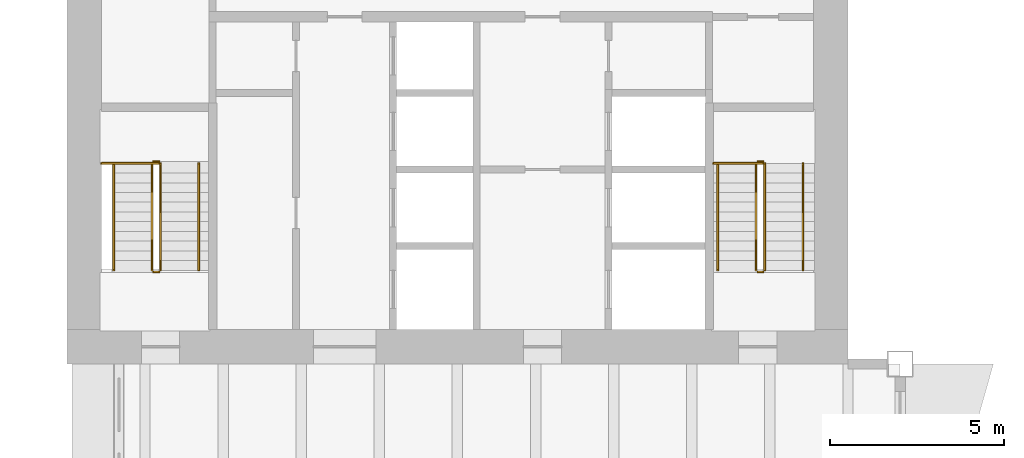
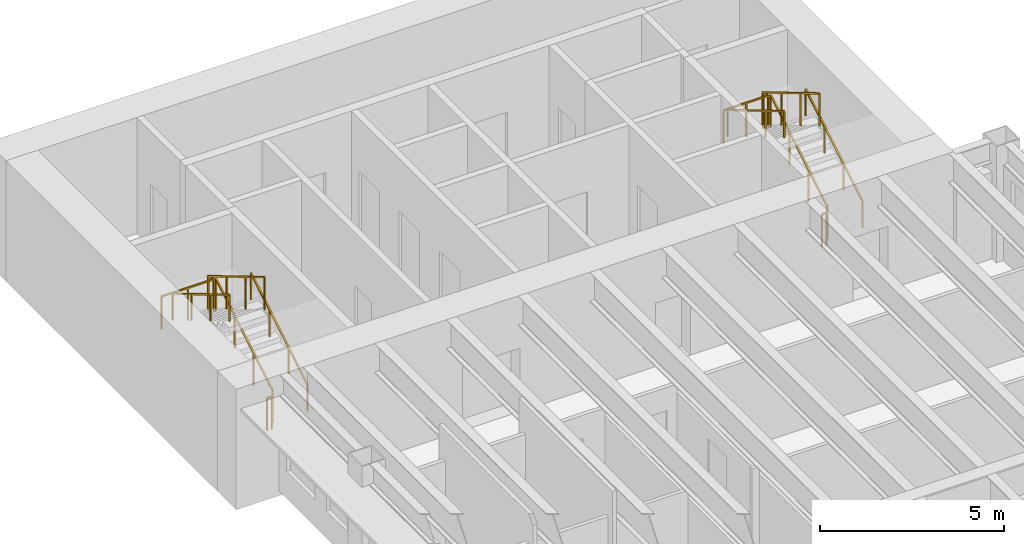
# One storey, part 17 of 17: 14 railings.
"""IFC4 building model written with IfcOpenShell, lengths in metres."""

from ifc_helpers import new_model, si_unit, direction, frame, origin, origin_2d, place, context, subcontext, project, spatial, rectangle, extrude, material, type_object, element, save


model = new_model("IFC4")

# Units and contexts
model_context = context("Model", 3, precision=1e-05, world=origin(), true_north=direction((0.0, 1.0)))
body_context = subcontext(model_context, "Body", "Model", "MODEL_VIEW")
ifc_project = project(units=[si_unit("LENGTHUNIT", "METRE"), si_unit("AREAUNIT", "SQUARE_METRE"), si_unit("VOLUMEUNIT", "CUBIC_METRE"), si_unit("PLANEANGLEUNIT", "RADIAN"), si_unit("MASSUNIT", "GRAM", prefix="KILO")], contexts=[model_context])

# Site, building, storey
site_placement = place(None, origin())
site = spatial("IfcSite", under=ifc_project, at=site_placement, CompositionType="ELEMENT")
building_placement = place(site_placement, origin())
building = spatial("IfcBuilding", under=site, at=building_placement, Name="Sennacour Bend Tower", CompositionType="ELEMENT")
storey_placement = place(building_placement, frame((0.0, 0.0, 195.0)))
storey = spatial("IfcBuildingStorey", under=building, at=storey_placement, Name="L44", CompositionType="ELEMENT", Elevation=195.0)

# Railings
ifc_material = material(Name="Stainless steel", Category="steel")
railing_type_1 = type_object("IfcRailingType", Name="RL-GUARD-1100", PredefinedType="GUARDRAIL", material=ifc_material)
railing_1_placement = place(storey_placement, frame((2.699951171875, 38.699951171875, 0.166748046875)))
element("IfcRailing", 1, at=railing_1_placement, inside=storey, type_object=railing_type_1, Name="L44 SB1 stair guard 1", PredefinedType="GUARDRAIL", context=body_context, shape_type="SweptSolid", body=[
    extrude(rectangle(XDim=0.048095703125, YDim=0.048095703125, at=origin_2d()), frame((0.0, 0.0, 1.076171875), z_axis=(0.0, 0.859308565015, 0.511457515432), x_axis=(-1.0, 0.0, 0.0)), (0.0, 0.0, 1.0), 3.58447265625),
    extrude(rectangle(XDim=0.0419921875, YDim=0.0419921875, at=origin_2d()), origin(), (0.0, 0.0, 1.0), 1.052001953125),
    extrude(rectangle(XDim=0.0419921875, YDim=0.0419921875, at=origin_2d()), frame((0.0, 1.026611328125, 0.611083984375)), (0.0, 0.0, 1.0), 1.052001953125),
    extrude(rectangle(XDim=0.0419921875, YDim=0.0419921875, at=origin_2d()), frame((0.0, 2.053466796875, 1.22216796875)), (0.0, 0.0, 1.0), 1.052001953125),
    extrude(rectangle(XDim=0.0419921875, YDim=0.0419921875, at=origin_2d()), frame((0.0, 3.080078125, 1.833251953125)), (0.0, 0.0, 1.0), 1.052001953125),
])
railing_2_placement = place(storey_placement, frame((2.64990234375, 41.830078125, 2.0)))
element("IfcRailing", 2, at=railing_2_placement, inside=storey, type_object=railing_type_1, Name="L44 SB1 stair guard 2", PredefinedType="GUARDRAIL", context=body_context, shape_type="SweptSolid", body=[
    extrude(rectangle(XDim=0.048095703125, YDim=0.048095703125, at=origin_2d()), frame((0.0, 0.0, 1.076171875), z_axis=(-1.0, 0.0, 0.0), x_axis=(0.0, -1.0, 0.0)), (0.0, 0.0, 1.0), 0.14990234375),
    extrude(rectangle(XDim=0.0419921875, YDim=0.0419921875, at=origin_2d()), origin(), (0.0, 0.0, 1.0), 1.052001953125),
    extrude(rectangle(XDim=0.0419921875, YDim=0.0419921875, at=origin_2d()), frame((-0.14990234375, 0.0, 0.0)), (0.0, 0.0, 1.0), 1.052001953125),
])
railing_3_placement = place(storey_placement, frame((2.449951171875, 41.780029296875, 2.166748046875)))
element("IfcRailing", 3, at=railing_3_placement, inside=storey, type_object=railing_type_1, Name="L44 SB1 stair guard 4", PredefinedType="GUARDRAIL", context=body_context, shape_type="SweptSolid", body=[
    extrude(rectangle(XDim=0.048095703125, YDim=0.048095703125, at=origin_2d()), frame((0.0, 0.0, 1.076171875), z_axis=(0.0, -0.859308565015, 0.511457515432), x_axis=(1.0, 0.0, 0.0)), (0.0, 0.0, 1.0), 3.58447265625),
    extrude(rectangle(XDim=0.0419921875, YDim=0.0419921875, at=origin_2d()), origin(), (0.0, 0.0, 1.0), 1.052001953125),
    extrude(rectangle(XDim=0.0419921875, YDim=0.0419921875, at=origin_2d()), frame((0.0, -1.026611328125, 0.611083984375)), (0.0, 0.0, 1.0), 1.052001953125),
    extrude(rectangle(XDim=0.0419921875, YDim=0.0419921875, at=origin_2d()), frame((0.0, -2.053466796875, 1.22216796875)), (0.0, 0.0, 1.0), 1.052001953125),
    extrude(rectangle(XDim=0.0419921875, YDim=0.0419921875, at=origin_2d()), frame((0.0, -3.080078125, 1.833251953125)), (0.0, 0.0, 1.0), 1.052001953125),
])
railing_4_placement = place(storey_placement, frame((2.64990234375, 38.64990234375, 0.0)))
element("IfcRailing", 4, at=railing_4_placement, inside=storey, type_object=railing_type_1, Name="L44 SB1 stair guard 5", PredefinedType="GUARDRAIL", context=body_context, shape_type="SweptSolid", body=[
    extrude(rectangle(XDim=0.048095703125, YDim=0.048095703125, at=origin_2d()), frame((0.0, 0.0, 1.076171875), z_axis=(-1.0, 0.0, 0.0), x_axis=(0.0, -1.0, 0.0)), (0.0, 0.0, 1.0), 0.14990234375),
    extrude(rectangle(XDim=0.0419921875, YDim=0.0419921875, at=origin_2d()), origin(), (0.0, 0.0, 1.0), 1.052001953125),
    extrude(rectangle(XDim=0.0419921875, YDim=0.0419921875, at=origin_2d()), frame((-0.14990234375, 0.0, 0.0)), (0.0, 0.0, 1.0), 1.052001953125),
])
railing_5_placement = place(storey_placement, frame((2.64990234375, 41.780029296875, 2.0)))
element("IfcRailing", 5, at=railing_5_placement, inside=storey, type_object=railing_type_1, Name="L44 SB1 landing edge guard 72", PredefinedType="GUARDRAIL", context=body_context, shape_type="SweptSolid", body=[
    extrude(rectangle(XDim=0.048095703125, YDim=0.048095703125, at=origin_2d()), frame((0.0, 0.0, 1.076171875), z_axis=(-1.0, 0.0, 0.0), x_axis=(0.0, -1.0, 0.0)), (0.0, 0.0, 1.0), 1.64990234375),
    extrude(rectangle(XDim=0.0419921875, YDim=0.0419921875, at=origin_2d()), origin(), (0.0, 0.0, 1.0), 1.052001953125),
    extrude(rectangle(XDim=0.0419921875, YDim=0.0419921875, at=origin_2d()), frame((-0.824951171875, 0.0, 0.0)), (0.0, 0.0, 1.0), 1.052001953125),
    extrude(rectangle(XDim=0.0419921875, YDim=0.0419921875, at=origin_2d()), frame((-1.64990234375, 0.0, 0.0)), (0.0, 0.0, 1.0), 1.052001953125),
])
railing_6_placement = place(storey_placement, frame((20.10009765625, 38.699951171875, 0.166748046875)))
element("IfcRailing", 6, at=railing_6_placement, inside=storey, type_object=railing_type_1, Name="L44 SB2 stair guard 1", PredefinedType="GUARDRAIL", context=body_context, shape_type="SweptSolid", body=[
    extrude(rectangle(XDim=0.048095703125, YDim=0.048095703125, at=origin_2d()), frame((0.0, 0.0, 1.076171875), z_axis=(0.0, 0.859308565015, 0.511457515432), x_axis=(-1.0, 0.0, 0.0)), (0.0, 0.0, 1.0), 3.58447265625),
    extrude(rectangle(XDim=0.0419921875, YDim=0.0419921875, at=origin_2d()), origin(), (0.0, 0.0, 1.0), 1.052001953125),
    extrude(rectangle(XDim=0.0419921875, YDim=0.0419921875, at=origin_2d()), frame((0.0, 1.026611328125, 0.611083984375)), (0.0, 0.0, 1.0), 1.052001953125),
    extrude(rectangle(XDim=0.0419921875, YDim=0.0419921875, at=origin_2d()), frame((0.0, 2.053466796875, 1.22216796875)), (0.0, 0.0, 1.0), 1.052001953125),
    extrude(rectangle(XDim=0.0419921875, YDim=0.0419921875, at=origin_2d()), frame((0.0, 3.080078125, 1.833251953125)), (0.0, 0.0, 1.0), 1.052001953125),
])
railing_7_placement = place(storey_placement, frame((20.050048828125, 41.830078125, 2.0)))
element("IfcRailing", 7, at=railing_7_placement, inside=storey, type_object=railing_type_1, Name="L44 SB2 stair guard 2", PredefinedType="GUARDRAIL", context=body_context, shape_type="SweptSolid", body=[
    extrude(rectangle(XDim=0.048095703125, YDim=0.048095703125, at=origin_2d()), frame((0.0, 0.0, 1.076171875), z_axis=(-1.0, 0.0, 0.0), x_axis=(0.0, -1.0, 0.0)), (0.0, 0.0, 1.0), 0.150146484375),
    extrude(rectangle(XDim=0.0419921875, YDim=0.0419921875, at=origin_2d()), origin(), (0.0, 0.0, 1.0), 1.052001953125),
    extrude(rectangle(XDim=0.0419921875, YDim=0.0419921875, at=origin_2d()), frame((-0.150146484375, 0.0, 0.0)), (0.0, 0.0, 1.0), 1.052001953125),
])
railing_8_placement = place(storey_placement, frame((19.85009765625, 41.780029296875, 2.166748046875)))
element("IfcRailing", 8, at=railing_8_placement, inside=storey, type_object=railing_type_1, Name="L44 SB2 stair guard 4", PredefinedType="GUARDRAIL", context=body_context, shape_type="SweptSolid", body=[
    extrude(rectangle(XDim=0.048095703125, YDim=0.048095703125, at=origin_2d()), frame((0.0, 0.0, 1.076171875), z_axis=(0.0, -0.859308565015, 0.511457515432), x_axis=(1.0, 0.0, 0.0)), (0.0, 0.0, 1.0), 3.58447265625),
    extrude(rectangle(XDim=0.0419921875, YDim=0.0419921875, at=origin_2d()), origin(), (0.0, 0.0, 1.0), 1.052001953125),
    extrude(rectangle(XDim=0.0419921875, YDim=0.0419921875, at=origin_2d()), frame((0.0, -1.026611328125, 0.611083984375)), (0.0, 0.0, 1.0), 1.052001953125),
    extrude(rectangle(XDim=0.0419921875, YDim=0.0419921875, at=origin_2d()), frame((0.0, -2.053466796875, 1.22216796875)), (0.0, 0.0, 1.0), 1.052001953125),
    extrude(rectangle(XDim=0.0419921875, YDim=0.0419921875, at=origin_2d()), frame((0.0, -3.080078125, 1.833251953125)), (0.0, 0.0, 1.0), 1.052001953125),
])
railing_9_placement = place(storey_placement, frame((20.050048828125, 38.64990234375, 0.0)))
element("IfcRailing", 9, at=railing_9_placement, inside=storey, type_object=railing_type_1, Name="L44 SB2 stair guard 5", PredefinedType="GUARDRAIL", context=body_context, shape_type="SweptSolid", body=[
    extrude(rectangle(XDim=0.048095703125, YDim=0.048095703125, at=origin_2d()), frame((0.0, 0.0, 1.076171875), z_axis=(-1.0, 0.0, 0.0), x_axis=(0.0, -1.0, 0.0)), (0.0, 0.0, 1.0), 0.150146484375),
    extrude(rectangle(XDim=0.0419921875, YDim=0.0419921875, at=origin_2d()), origin(), (0.0, 0.0, 1.0), 1.052001953125),
    extrude(rectangle(XDim=0.0419921875, YDim=0.0419921875, at=origin_2d()), frame((-0.150146484375, 0.0, 0.0)), (0.0, 0.0, 1.0), 1.052001953125),
])
railing_10_placement = place(storey_placement, frame((20.050048828125, 41.780029296875, 2.0)))
element("IfcRailing", 10, at=railing_10_placement, inside=storey, type_object=railing_type_1, Name="L44 SB2 landing edge guard 61", PredefinedType="GUARDRAIL", context=body_context, shape_type="SweptSolid", body=[
    extrude(rectangle(XDim=0.048095703125, YDim=0.048095703125, at=origin_2d()), frame((0.0, 0.0, 1.076171875), z_axis=(-1.0, 0.0, 0.0), x_axis=(0.0, -1.0, 0.0)), (0.0, 0.0, 1.0), 1.425048828125),
    extrude(rectangle(XDim=0.0419921875, YDim=0.0419921875, at=origin_2d()), origin(), (0.0, 0.0, 1.0), 1.052001953125),
    extrude(rectangle(XDim=0.0419921875, YDim=0.0419921875, at=origin_2d()), frame((-0.71240234375, 0.0, 0.0)), (0.0, 0.0, 1.0), 1.052001953125),
    extrude(rectangle(XDim=0.0419921875, YDim=0.0419921875, at=origin_2d()), frame((-1.425048828125, 0.0, 0.0)), (0.0, 0.0, 1.0), 1.052001953125),
])
railing_type_2 = type_object("IfcRailingType", Name="RL-HANDRAIL-900", PredefinedType="HANDRAIL", material=ifc_material)
railing_11_placement = place(storey_placement, frame((3.800048828125, 38.699951171875, 0.166748046875)))
element("IfcRailing", 11, at=railing_11_placement, inside=storey, type_object=railing_type_2, Name="L44 SB1 stair handrail 1", PredefinedType="HANDRAIL", context=body_context, shape_type="SweptSolid", body=[
    extrude(rectangle(XDim=0.048095703125, YDim=0.048095703125, at=origin_2d()), frame((0.0, 0.0, 0.8759765625), z_axis=(0.0, 0.859308565015, 0.511457515432), x_axis=(-1.0, 0.0, 0.0)), (0.0, 0.0, 1.0), 3.58447265625),
    extrude(rectangle(XDim=0.0419921875, YDim=0.0419921875, at=origin_2d()), origin(), (0.0, 0.0, 1.0), 0.851806640625),
    extrude(rectangle(XDim=0.0419921875, YDim=0.0419921875, at=origin_2d()), frame((0.0, 1.026611328125, 0.611083984375)), (0.0, 0.0, 1.0), 0.851806640625),
    extrude(rectangle(XDim=0.0419921875, YDim=0.0419921875, at=origin_2d()), frame((0.0, 2.053466796875, 1.22216796875)), (0.0, 0.0, 1.0), 0.851806640625),
    extrude(rectangle(XDim=0.0419921875, YDim=0.0419921875, at=origin_2d()), frame((0.0, 3.080078125, 1.833251953125)), (0.0, 0.0, 1.0), 0.851806640625),
])
railing_12_placement = place(storey_placement, frame((1.35009765625, 41.780029296875, 2.166748046875)))
element("IfcRailing", 12, at=railing_12_placement, inside=storey, type_object=railing_type_2, Name="L44 SB1 stair handrail 2", PredefinedType="HANDRAIL", context=body_context, shape_type="SweptSolid", body=[
    extrude(rectangle(XDim=0.048095703125, YDim=0.048095703125, at=origin_2d()), frame((0.0, 0.0, 0.8759765625), z_axis=(0.0, -0.859308565015, 0.511457515432), x_axis=(1.0, 0.0, 0.0)), (0.0, 0.0, 1.0), 3.58447265625),
    extrude(rectangle(XDim=0.0419921875, YDim=0.0419921875, at=origin_2d()), origin(), (0.0, 0.0, 1.0), 0.851806640625),
    extrude(rectangle(XDim=0.0419921875, YDim=0.0419921875, at=origin_2d()), frame((0.0, -1.026611328125, 0.611083984375)), (0.0, 0.0, 1.0), 0.851806640625),
    extrude(rectangle(XDim=0.0419921875, YDim=0.0419921875, at=origin_2d()), frame((0.0, -2.053466796875, 1.22216796875)), (0.0, 0.0, 1.0), 0.851806640625),
    extrude(rectangle(XDim=0.0419921875, YDim=0.0419921875, at=origin_2d()), frame((0.0, -3.080078125, 1.833251953125)), (0.0, 0.0, 1.0), 0.851806640625),
])
railing_13_placement = place(storey_placement, frame((21.199951171875, 38.699951171875, 0.166748046875)))
element("IfcRailing", 13, at=railing_13_placement, inside=storey, type_object=railing_type_2, Name="L44 SB2 stair handrail 1", PredefinedType="HANDRAIL", context=body_context, shape_type="SweptSolid", body=[
    extrude(rectangle(XDim=0.048095703125, YDim=0.048095703125, at=origin_2d()), frame((0.0, 0.0, 0.8759765625), z_axis=(0.0, 0.859308565015, 0.511457515432), x_axis=(-1.0, 0.0, 0.0)), (0.0, 0.0, 1.0), 3.58447265625),
    extrude(rectangle(XDim=0.0419921875, YDim=0.0419921875, at=origin_2d()), origin(), (0.0, 0.0, 1.0), 0.851806640625),
    extrude(rectangle(XDim=0.0419921875, YDim=0.0419921875, at=origin_2d()), frame((0.0, 1.026611328125, 0.611083984375)), (0.0, 0.0, 1.0), 0.851806640625),
    extrude(rectangle(XDim=0.0419921875, YDim=0.0419921875, at=origin_2d()), frame((0.0, 2.053466796875, 1.22216796875)), (0.0, 0.0, 1.0), 0.851806640625),
    extrude(rectangle(XDim=0.0419921875, YDim=0.0419921875, at=origin_2d()), frame((0.0, 3.080078125, 1.833251953125)), (0.0, 0.0, 1.0), 0.851806640625),
])
railing_14_placement = place(storey_placement, frame((18.75, 41.780029296875, 2.166748046875)))
element("IfcRailing", 14, at=railing_14_placement, inside=storey, type_object=railing_type_2, Name="L44 SB2 stair handrail 2", PredefinedType="HANDRAIL", context=body_context, shape_type="SweptSolid", body=[
    extrude(rectangle(XDim=0.048095703125, YDim=0.048095703125, at=origin_2d()), frame((0.0, 0.0, 0.8759765625), z_axis=(0.0, -0.859308565015, 0.511457515432), x_axis=(1.0, 0.0, 0.0)), (0.0, 0.0, 1.0), 3.58447265625),
    extrude(rectangle(XDim=0.0419921875, YDim=0.0419921875, at=origin_2d()), origin(), (0.0, 0.0, 1.0), 0.851806640625),
    extrude(rectangle(XDim=0.0419921875, YDim=0.0419921875, at=origin_2d()), frame((0.0, -1.026611328125, 0.611083984375)), (0.0, 0.0, 1.0), 0.851806640625),
    extrude(rectangle(XDim=0.0419921875, YDim=0.0419921875, at=origin_2d()), frame((0.0, -2.053466796875, 1.22216796875)), (0.0, 0.0, 1.0), 0.851806640625),
    extrude(rectangle(XDim=0.0419921875, YDim=0.0419921875, at=origin_2d()), frame((0.0, -3.080078125, 1.833251953125)), (0.0, 0.0, 1.0), 0.851806640625),
])

save(model, "model.ifc")
